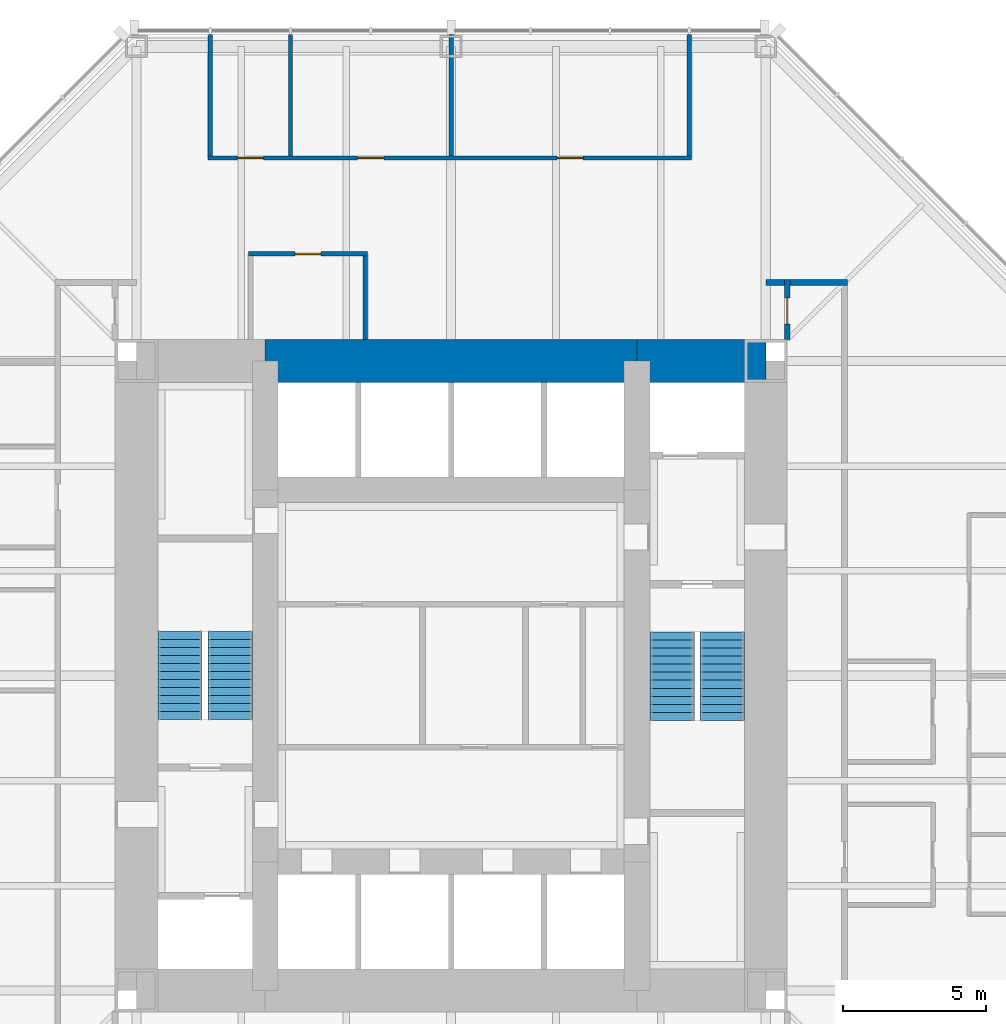
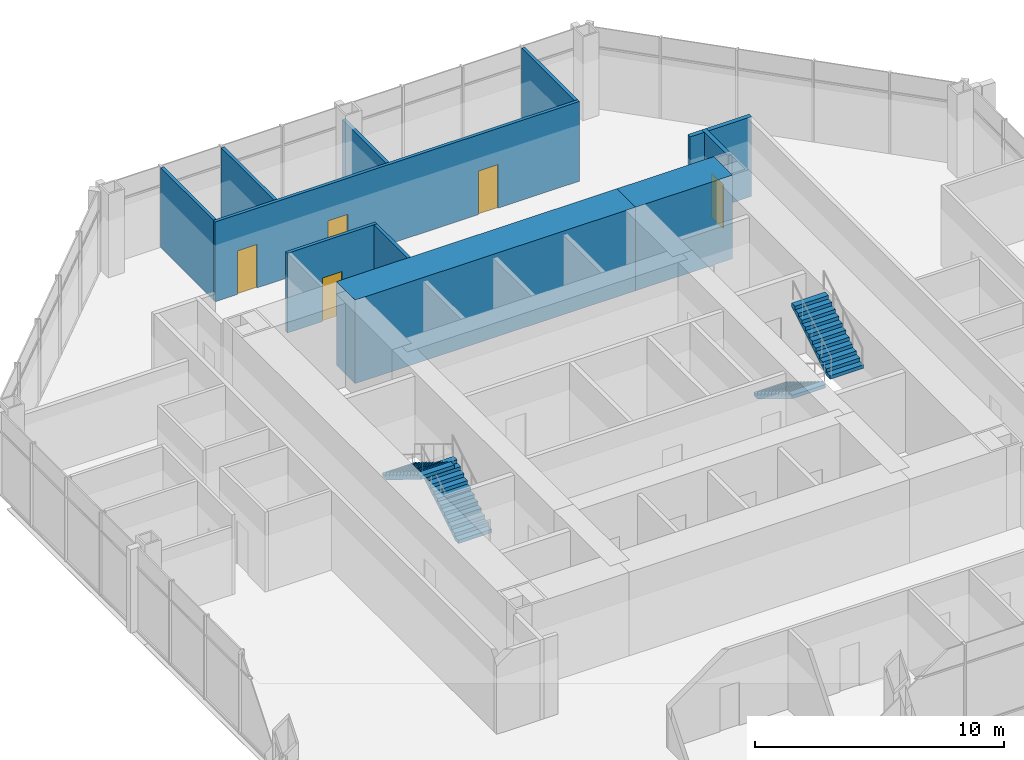
# One storey, part 11 of 12: 11 walls, 5 doors, 4 stair flights, 5 openings, 2 elements without a shape of their own.
"""IFC4 building model written with IfcOpenShell, lengths in metres."""

from ifc_helpers import new_model, si_unit, direction, frame, frame_2d, origin, place, context, subcontext, project, spatial, polyline, rectangle, outline, extrude, material, layer, layer_set, type_object, element, fill, aggregate, save


model = new_model("IFC4")

# Units and contexts
model_context = context("Model", 3, precision=1e-05, world=origin(), true_north=direction((0.0, 1.0)))
body_context = subcontext(model_context, "Body", "Model", "MODEL_VIEW")
ifc_project = project(units=[si_unit("LENGTHUNIT", "METRE"), si_unit("AREAUNIT", "SQUARE_METRE"), si_unit("VOLUMEUNIT", "CUBIC_METRE"), si_unit("PLANEANGLEUNIT", "RADIAN"), si_unit("MASSUNIT", "GRAM", prefix="KILO")], contexts=[model_context])

# Site, building, storey
site_placement = place(None, origin())
site = spatial("IfcSite", under=ifc_project, at=site_placement, CompositionType="ELEMENT")
building_placement = place(site_placement, origin())
building = spatial("IfcBuilding", under=site, at=building_placement, Name="Trevanion Tower", CompositionType="ELEMENT")
storey_placement = place(building_placement, frame((0.0, 0.0, 145.89990234375)))
storey = spatial("IfcBuildingStorey", under=building, at=storey_placement, Name="L34", CompositionType="ELEMENT", Elevation=145.89990234375)

# Walls
ifc_material_1 = material(Name="Concrete 10,000 psi", Category="concrete")
ifc_layer_1 = layer(ifc_material_1, 1.5)
ifc_layer_set_1 = layer_set([ifc_layer_1], Name="CW1 core wall 1500")
wall_type_1 = type_object("IfcWallType", Name="CW1 core wall 1500", PredefinedType="SHEAR", material=ifc_layer_set_1)
wall_1_placement = place(storey_placement, frame((11.0, 11.0, 0.0), z_axis=(0.0, 0.0, 1.0), x_axis=(-1.0, 0.0, 0.0)))
element("IfcWall", 1, at=wall_1_placement, inside=storey, type_object=wall_type_1, Name="CW1 CN1 L34", PredefinedType="SHEAR", context=body_context, shape_type="SweptSolid", body=[
    extrude(rectangle(XDim=4.5, YDim=1.5, at=frame_2d((2.25, 0.0))), origin(), (0.0, 0.0, 1.0), 4.10009765625),
])
wall_2_placement = place(storey_placement, frame((6.5, 11.0, 0.0), z_axis=(0.0, 0.0, 1.0), x_axis=(-1.0, 0.0, 0.0)))
element("IfcWall", 2, at=wall_2_placement, inside=storey, type_object=wall_type_1, Name="CW1 CN2 L34", PredefinedType="SHEAR", context=body_context, shape_type="SweptSolid", body=[
    extrude(rectangle(XDim=13.0, YDim=1.5, at=frame_2d((6.5, 0.0))), origin(), (0.0, 0.0, 1.0), 4.10009765625),
])

# Wall, openings, doors
ifc_material_2 = material(Name="Gypsum board on steel studs", Category="steel")
ifc_layer_2 = layer(ifc_material_2, 0.14990234375)
ifc_layer_set_2 = layer_set([ifc_layer_2], Name="PT1 partition 150")
wall_type_2 = type_object("IfcWallType", Name="PT1 partition 150", PredefinedType="PARTITIONING", material=ifc_layer_set_2)
wall_3_placement = place(storey_placement, frame((8.39794921875, 18.10009765625, 0.0), z_axis=(0.0, 0.0, 1.0), x_axis=(-1.0, 0.0, 0.0)))
wall_3 = element("IfcWall", 3, at=wall_3_placement, inside=storey, type_object=wall_type_2, Name="PT1 L34 FC1F", PredefinedType="PARTITIONING", context=body_context, shape_type="SweptSolid", body=[
    extrude(rectangle(XDim=16.89404296875, YDim=0.14990234375, at=frame_2d((8.447021484375, 0.0))), origin(), (0.0, 0.0, 1.0), 3.91015625),
])
opening_1_placement = place(wall_3_placement, frame((3.779052734375, 0.0, 0.0)))
opening_1 = element("IfcOpeningElement", 4, at=opening_1_placement, cuts=wall_3, Name="Opening 34-023", PredefinedType="OPENING", context=body_context, shape_type="SweptSolid", body=[
    extrude(rectangle(XDim=0.9150390625, YDim=2.134033203125, at=frame_2d((0.45751953125, 1.06689453125))), frame((0.0, 0.0849609375, 0.0), z_axis=(0.0, -1.0, 0.0), x_axis=(1.0, 0.0, 0.0)), (0.0, 0.0, 1.0), 0.169921875),
])
opening_2_placement = place(wall_3_placement, frame((10.74755859375, 0.0, 0.0)))
opening_2 = element("IfcOpeningElement", 5, at=opening_2_placement, cuts=wall_3, Name="Opening 34-024", PredefinedType="OPENING", context=body_context, shape_type="SweptSolid", body=[
    extrude(rectangle(XDim=0.9150390625, YDim=2.134033203125, at=frame_2d((0.45751953125, 1.06689453125))), frame((0.0, 0.0849609375, 0.0), z_axis=(0.0, -1.0, 0.0), x_axis=(1.0, 0.0, 0.0)), (0.0, 0.0, 1.0), 0.169921875),
])
opening_3_placement = place(wall_3_placement, frame((14.9580078125, 0.0, 0.0)))
opening_3 = element("IfcOpeningElement", 6, at=opening_3_placement, cuts=wall_3, Name="Opening 34-025", PredefinedType="OPENING", context=body_context, shape_type="SweptSolid", body=[
    extrude(rectangle(XDim=0.9150390625, YDim=2.134033203125, at=frame_2d((0.45751953125, 1.06689453125))), frame((0.0, 0.0849609375, 0.0), z_axis=(0.0, -1.0, 0.0), x_axis=(1.0, 0.0, 0.0)), (0.0, 0.0, 1.0), 0.169921875),
])
ifc_material_3 = material(Name="Timber veneer, solid core", Category="wood")
door_type_1 = type_object("IfcDoorType", Name="D1 office and meeting room door", OperationType="SINGLE_SWING_LEFT", PredefinedType="DOOR", material=ifc_material_3)
door_1_placement = place(opening_1_placement, origin())
door_1 = element("IfcDoor", 7, at=door_1_placement, inside=storey, type_object=door_type_1, Name="Door 34-023", OperationType="SINGLE_SWING_LEFT", OverallHeight=2.134033203125, OverallWidth=0.9150390625, PredefinedType="DOOR", context=body_context, shape_type="SweptSolid", body=[
    extrude(rectangle(XDim=0.9150390625, YDim=2.134033203125, at=frame_2d((0.45751953125, 1.06689453125))), frame((0.0, 0.02490234375, 0.0), z_axis=(0.0, -1.0, 0.0), x_axis=(1.0, 0.0, 0.0)), (0.0, 0.0, 1.0), 0.050048828125),
])
fill(opening_1, door_1)
door_2_placement = place(opening_2_placement, origin())
door_2 = element("IfcDoor", 8, at=door_2_placement, inside=storey, type_object=door_type_1, Name="Door 34-024", OperationType="SINGLE_SWING_LEFT", OverallHeight=2.134033203125, OverallWidth=0.9150390625, PredefinedType="DOOR", context=body_context, shape_type="SweptSolid", body=[
    extrude(rectangle(XDim=0.9150390625, YDim=2.134033203125, at=frame_2d((0.45751953125, 1.06689453125))), frame((0.0, 0.02490234375, 0.0), z_axis=(0.0, -1.0, 0.0), x_axis=(1.0, 0.0, 0.0)), (0.0, 0.0, 1.0), 0.050048828125),
])
fill(opening_2, door_2)
door_3_placement = place(opening_3_placement, origin())
door_3 = element("IfcDoor", 9, at=door_3_placement, inside=storey, type_object=door_type_1, Name="Door 34-025", OperationType="SINGLE_SWING_LEFT", OverallHeight=2.134033203125, OverallWidth=0.9150390625, PredefinedType="DOOR", context=body_context, shape_type="SweptSolid", body=[
    extrude(rectangle(XDim=0.9150390625, YDim=2.134033203125, at=frame_2d((0.45751953125, 1.06689453125))), frame((0.0, 0.02490234375, 0.0), z_axis=(0.0, -1.0, 0.0), x_axis=(1.0, 0.0, 0.0)), (0.0, 0.0, 1.0), 0.050048828125),
])
fill(opening_3, door_3)

# Walls
wall_4_placement = place(storey_placement, frame((8.322998046875, 18.175048828125, 0.0), z_axis=(0.0, 0.0, 1.0), x_axis=(0.0, 1.0, 0.0)))
element("IfcWall", 10, at=wall_4_placement, inside=storey, type_object=wall_type_2, Name="PT1 L34 FC1S0", PredefinedType="PARTITIONING", context=body_context, shape_type="SweptSolid", body=[
    extrude(rectangle(XDim=4.239990234375, YDim=0.14990234375, at=frame_2d((2.1201171875, 0.0))), origin(), (0.0, 0.0, 1.0), 3.91015625),
])
wall_5_placement = place(storey_placement, frame((0.0, 18.175048828125, 0.0), z_axis=(0.0, 0.0, 1.0), x_axis=(0.0, 1.0, 0.0)))
element("IfcWall", 11, at=wall_5_placement, inside=storey, type_object=wall_type_2, Name="PT1 L34 FC1S3", PredefinedType="PARTITIONING", context=body_context, shape_type="SweptSolid", body=[
    extrude(rectangle(XDim=4.239990234375, YDim=0.14990234375, at=frame_2d((2.1201171875, 0.0))), origin(), (0.0, 0.0, 1.0), 3.325927734375),
])
for number, where, z_axis, x_axis, name in (
    (12, (-5.614013671875, 18.175048828125, 0.0), (0.0, 0.0, 1.0), (0.0, 1.0, 0.0), "PT1 L34 FC1S5"),
    (13, (-8.4208984375, 18.175048828125, 0.0), (0.0, 0.0, 1.0), (0.0, 1.0, 0.0), "PT1 L34 FC1S6"),
):
    element("IfcWall", number, at=place(storey_placement, frame(where, z_axis=z_axis, x_axis=x_axis)), inside=storey, type_object=wall_type_2, Name=name, PredefinedType="PARTITIONING", context=body_context, shape_type="SweptSolid", body=[
        extrude(rectangle(XDim=4.239990234375, YDim=0.14990234375, at=frame_2d((2.1201171875, 0.0))), origin(), (0.0, 0.0, 1.0), 3.91015625),
    ])

# Wall, opening, door
wall_6_placement = place(storey_placement, frame((-2.925048828125, 14.75, 0.0), z_axis=(0.0, 0.0, 1.0), x_axis=(-1.0, 0.0, 0.0)))
wall_6 = element("IfcWall", 14, at=wall_6_placement, inside=storey, type_object=wall_type_2, Name="PT1 L34 IN10F", PredefinedType="PARTITIONING", context=body_context, shape_type="SweptSolid", body=[
    extrude(rectangle(XDim=4.14990234375, YDim=0.14990234375, at=frame_2d((2.074951171875, 0.0))), origin(), (0.0, 0.0, 1.0), 3.91015625),
])
opening_4_placement = place(wall_6_placement, frame((1.617431640625, 0.0, 0.0)))
opening_4 = element("IfcOpeningElement", 15, at=opening_4_placement, cuts=wall_6, Name="Opening 34-042", PredefinedType="OPENING", context=body_context, shape_type="SweptSolid", body=[
    extrude(rectangle(XDim=0.9150390625, YDim=2.134033203125, at=frame_2d((0.45751953125, 1.06689453125))), frame((0.0, 0.0849609375, 0.0), z_axis=(0.0, -1.0, 0.0), x_axis=(1.0, 0.0, 0.0)), (0.0, 0.0, 1.0), 0.169921875),
])
door_4_placement = place(opening_4_placement, origin())
door_4 = element("IfcDoor", 16, at=door_4_placement, inside=storey, type_object=door_type_1, Name="Door 34-042", OperationType="SINGLE_SWING_LEFT", OverallHeight=2.134033203125, OverallWidth=0.9150390625, PredefinedType="DOOR", context=body_context, shape_type="SweptSolid", body=[
    extrude(rectangle(XDim=0.9150390625, YDim=2.134033203125, at=frame_2d((0.45751953125, 1.06689453125))), frame((0.0, 0.02490234375, 0.0), z_axis=(0.0, -1.0, 0.0), x_axis=(1.0, 0.0, 0.0)), (0.0, 0.0, 1.0), 0.050048828125),
])
fill(opening_4, door_4)

# Wall
wall_7_placement = place(storey_placement, frame((-3.0, 14.675048828125, 0.0), z_axis=(0.0, 0.0, 1.0), x_axis=(0.0, -1.0, 0.0)))
element("IfcWall", 17, at=wall_7_placement, inside=storey, type_object=wall_type_2, Name="PT1 L34 IN10S0", PredefinedType="PARTITIONING", context=body_context, shape_type="SweptSolid", body=[
    extrude(rectangle(XDim=2.925048828125, YDim=0.14990234375, at=frame_2d((1.46240234375, 0.0))), origin(), (0.0, 0.0, 1.0), 3.91015625),
])

# Wall, opening, door
ifc_material_4 = material(Name="Concrete masonry, grouted", Category="masonry")
ifc_layer_3 = layer(ifc_material_4, 0.199951171875)
ifc_layer_set_3 = layer_set([ifc_layer_3], Name="PT2 partition 200 1 HR")
wall_type_3 = type_object("IfcWallType", Name="PT2 partition 200 1 HR", PredefinedType="PARTITIONING", material=ifc_layer_set_3)
wall_8_placement = place(storey_placement, frame((11.75, 11.75, 0.0), z_axis=(0.0, 0.0, 1.0), x_axis=(0.0, 1.0, 0.0)))
wall_8 = element("IfcWall", 18, at=wall_8_placement, inside=storey, type_object=wall_type_3, Name="PT2 L34 OUNE1", PredefinedType="PARTITIONING", context=body_context, shape_type="SweptSolid", body=[
    extrude(rectangle(XDim=2.10009765625, YDim=0.199951171875, at=frame_2d((1.050048828125, 0.0))), origin(), (0.0, 0.0, 1.0), 3.91015625),
])
opening_5_placement = place(wall_8_placement, frame((0.54248046875, 0.0, 0.0)))
opening_5 = element("IfcOpeningElement", 19, at=opening_5_placement, cuts=wall_8, Name="Opening 34-019", PredefinedType="OPENING", context=body_context, shape_type="SweptSolid", body=[
    extrude(rectangle(XDim=0.9150390625, YDim=2.134033203125, at=frame_2d((0.45751953125, 1.06689453125))), frame((0.0, 0.10986328125, 0.0), z_axis=(0.0, -1.0, 0.0), x_axis=(1.0, 0.0, 0.0)), (0.0, 0.0, 1.0), 0.219970703125),
])
ifc_material_5 = material(Name="Timber veneer, fire rated", Category="wood")
door_type_2 = type_object("IfcDoorType", Name="D10 office door in a one hour wall", OperationType="SINGLE_SWING_LEFT", PredefinedType="DOOR", material=ifc_material_5)
door_5_placement = place(opening_5_placement, origin())
door_5 = element("IfcDoor", 20, at=door_5_placement, inside=storey, type_object=door_type_2, Name="Door 34-019", OperationType="SINGLE_SWING_LEFT", OverallHeight=2.134033203125, OverallWidth=0.9150390625, PredefinedType="DOOR", context=body_context, shape_type="SweptSolid", body=[
    extrude(rectangle(XDim=0.9150390625, YDim=2.134033203125, at=frame_2d((0.45751953125, 1.06689453125))), frame((0.0, 0.02490234375, 0.0), z_axis=(0.0, -1.0, 0.0), x_axis=(1.0, 0.0, 0.0)), (0.0, 0.0, 1.0), 0.050048828125),
])
fill(opening_5, door_5)

# Wall
wall_9_placement = place(storey_placement, frame((11.0, 13.75, 0.0), z_axis=(0.0, 0.0, 1.0), x_axis=(1.0, 0.0, 0.0)))
element("IfcWall", 21, at=wall_9_placement, inside=storey, type_object=wall_type_3, Name="PT2 L34 OUNE2", PredefinedType="PARTITIONING", context=body_context, shape_type="SweptSolid", body=[
    extrude(rectangle(XDim=2.85009765625, YDim=0.199951171875, at=frame_2d((1.425048828125, 0.0))), origin(), (0.0, 0.0, 1.0), 3.91015625),
])

# Stair, stair flights
ifc_material_6 = material(Name="Concrete 5,000 psi on steel stringers", Category="concrete")
stair_type = type_object("IfcStairType", Name="ST stair", PredefinedType="HALF_TURN_STAIR", material=ifc_material_6)
stair_1_placement = place(storey_placement, origin())
stair_1 = element("IfcStair", 22, at=stair_1_placement, inside=storey, type_object=stair_type, Name="ST1 L34", PredefinedType="HALF_TURN_STAIR")
ifc_material_7 = material(Name="Concrete 5,000 psi in steel pan", Category="concrete")
stair_flight_type = type_object("IfcStairFlightType", Name="STF stair flight", PredefinedType="STRAIGHT", material=ifc_material_7)
stair_flight_1_placement = place(storey_placement, frame((7.72509765625, 1.52490234375, 0.0), z_axis=(0.0, 0.0, 1.0), x_axis=(0.0, -1.0, 0.0)))
stair_flight_1 = element("IfcStairFlight", 23, at=stair_flight_1_placement, type_object=stair_flight_type, Name="ST1 flight 1", NumberOfRisers=12, NumberOfTreads=11, PredefinedType="STRAIGHT", RiserHeight=0.170833333, TreadLength=0.28, context=body_context, shape_type="SweptSolid", body=[
    extrude(outline(polyline([(0.0, 0.0), (0.0, 0.1708984375), (0.280029296875, 0.1708984375), (0.280029296875, 0.341552734375), (0.56005859375, 0.341552734375), (0.56005859375, 0.512451171875), (0.840087890625, 0.512451171875), (0.840087890625, 0.683349609375), (1.1201171875, 0.683349609375), (1.1201171875, 0.854248046875), (1.39990234375, 0.854248046875), (1.39990234375, 1.02490234375), (1.679931640625, 1.02490234375), (1.679931640625, 1.19580078125), (1.9599609375, 1.19580078125), (1.9599609375, 1.36669921875), (2.239990234375, 1.36669921875), (2.239990234375, 1.53759765625), (2.52001953125, 1.53759765625), (2.52001953125, 1.708251953125), (2.800048828125, 1.708251953125), (2.800048828125, 1.879150390625), (3.080078125, 1.879150390625), (3.080078125, 2.050048828125), (3.080078125, 1.70361328125), (0.287841796875, 0.0), (0.0, 0.0)])), frame((0.0, 0.77490234375, 0.0), z_axis=(0.0, -1.0, 0.0), x_axis=(1.0, 0.0, 0.0)), (0.0, 0.0, 1.0), 1.550048828125),
])
stair_flight_2_placement = place(storey_placement, frame((9.47509765625, -1.554931640625, 2.050048828125), z_axis=(0.0, 0.0, 1.0), x_axis=(0.0, 1.0, 0.0)))
stair_flight_2 = element("IfcStairFlight", 24, at=stair_flight_2_placement, type_object=stair_flight_type, Name="ST1 flight 2", NumberOfRisers=12, NumberOfTreads=11, PredefinedType="STRAIGHT", RiserHeight=0.170833333, TreadLength=0.28, context=body_context, shape_type="SweptSolid", body=[
    extrude(outline(polyline([(0.0, 0.0), (0.0, 0.1708984375), (0.280029296875, 0.1708984375), (0.280029296875, 0.341552734375), (0.56005859375, 0.341552734375), (0.56005859375, 0.512451171875), (0.840087890625, 0.512451171875), (0.840087890625, 0.683349609375), (1.1201171875, 0.683349609375), (1.1201171875, 0.854248046875), (1.39990234375, 0.854248046875), (1.39990234375, 1.02490234375), (1.679931640625, 1.02490234375), (1.679931640625, 1.19580078125), (1.9599609375, 1.19580078125), (1.9599609375, 1.36669921875), (2.239990234375, 1.36669921875), (2.239990234375, 1.53759765625), (2.52001953125, 1.53759765625), (2.52001953125, 1.708251953125), (2.800048828125, 1.708251953125), (2.800048828125, 1.879150390625), (3.080078125, 1.879150390625), (3.080078125, 2.050048828125), (3.080078125, 1.70361328125), (0.287841796875, 0.0), (0.0, 0.0)])), frame((0.0, 0.77490234375, 0.0), z_axis=(0.0, -1.0, 0.0), x_axis=(1.0, 0.0, 0.0)), (0.0, 0.0, 1.0), 1.550048828125),
])
aggregate(stair_1, [stair_flight_1, stair_flight_2])

stair_2_placement = place(storey_placement, origin())
stair_2 = element("IfcStair", 25, at=stair_2_placement, inside=storey, type_object=stair_type, Name="ST2 L34", PredefinedType="HALF_TURN_STAIR")
stair_flight_3_placement = place(storey_placement, frame((-7.72509765625, -1.52490234375, 0.0), z_axis=(0.0, 0.0, 1.0), x_axis=(0.0, 1.0, 0.0)))
stair_flight_3 = element("IfcStairFlight", 26, at=stair_flight_3_placement, type_object=stair_flight_type, Name="ST2 flight 1", NumberOfRisers=12, NumberOfTreads=11, PredefinedType="STRAIGHT", RiserHeight=0.170833333, TreadLength=0.28, context=body_context, shape_type="SweptSolid", body=[
    extrude(outline(polyline([(0.0, 0.0), (0.0, 0.1708984375), (0.280029296875, 0.1708984375), (0.280029296875, 0.341552734375), (0.56005859375, 0.341552734375), (0.56005859375, 0.512451171875), (0.840087890625, 0.512451171875), (0.840087890625, 0.683349609375), (1.1201171875, 0.683349609375), (1.1201171875, 0.854248046875), (1.39990234375, 0.854248046875), (1.39990234375, 1.02490234375), (1.679931640625, 1.02490234375), (1.679931640625, 1.19580078125), (1.9599609375, 1.19580078125), (1.9599609375, 1.36669921875), (2.239990234375, 1.36669921875), (2.239990234375, 1.53759765625), (2.52001953125, 1.53759765625), (2.52001953125, 1.708251953125), (2.800048828125, 1.708251953125), (2.800048828125, 1.879150390625), (3.080078125, 1.879150390625), (3.080078125, 2.050048828125), (3.080078125, 1.70361328125), (0.287841796875, 0.0), (0.0, 0.0)])), frame((0.0, 0.77490234375, 0.0), z_axis=(0.0, -1.0, 0.0), x_axis=(1.0, 0.0, 0.0)), (0.0, 0.0, 1.0), 1.550048828125),
])
stair_flight_4_placement = place(storey_placement, frame((-9.47509765625, 1.554931640625, 2.050048828125), z_axis=(0.0, 0.0, 1.0), x_axis=(0.0, -1.0, 0.0)))
stair_flight_4 = element("IfcStairFlight", 27, at=stair_flight_4_placement, type_object=stair_flight_type, Name="ST2 flight 2", NumberOfRisers=12, NumberOfTreads=11, PredefinedType="STRAIGHT", RiserHeight=0.170833333, TreadLength=0.28, context=body_context, shape_type="SweptSolid", body=[
    extrude(outline(polyline([(0.0, 0.0), (0.0, 0.1708984375), (0.280029296875, 0.1708984375), (0.280029296875, 0.341552734375), (0.56005859375, 0.341552734375), (0.56005859375, 0.512451171875), (0.840087890625, 0.512451171875), (0.840087890625, 0.683349609375), (1.1201171875, 0.683349609375), (1.1201171875, 0.854248046875), (1.39990234375, 0.854248046875), (1.39990234375, 1.02490234375), (1.679931640625, 1.02490234375), (1.679931640625, 1.19580078125), (1.9599609375, 1.19580078125), (1.9599609375, 1.36669921875), (2.239990234375, 1.36669921875), (2.239990234375, 1.53759765625), (2.52001953125, 1.53759765625), (2.52001953125, 1.708251953125), (2.800048828125, 1.708251953125), (2.800048828125, 1.879150390625), (3.080078125, 1.879150390625), (3.080078125, 2.050048828125), (3.080078125, 1.70361328125), (0.287841796875, 0.0), (0.0, 0.0)])), frame((0.0, 0.77490234375, 0.0), z_axis=(0.0, -1.0, 0.0), x_axis=(1.0, 0.0, 0.0)), (0.0, 0.0, 1.0), 1.550048828125),
])
aggregate(stair_2, [stair_flight_3, stair_flight_4])

save(model, "model.ifc")
